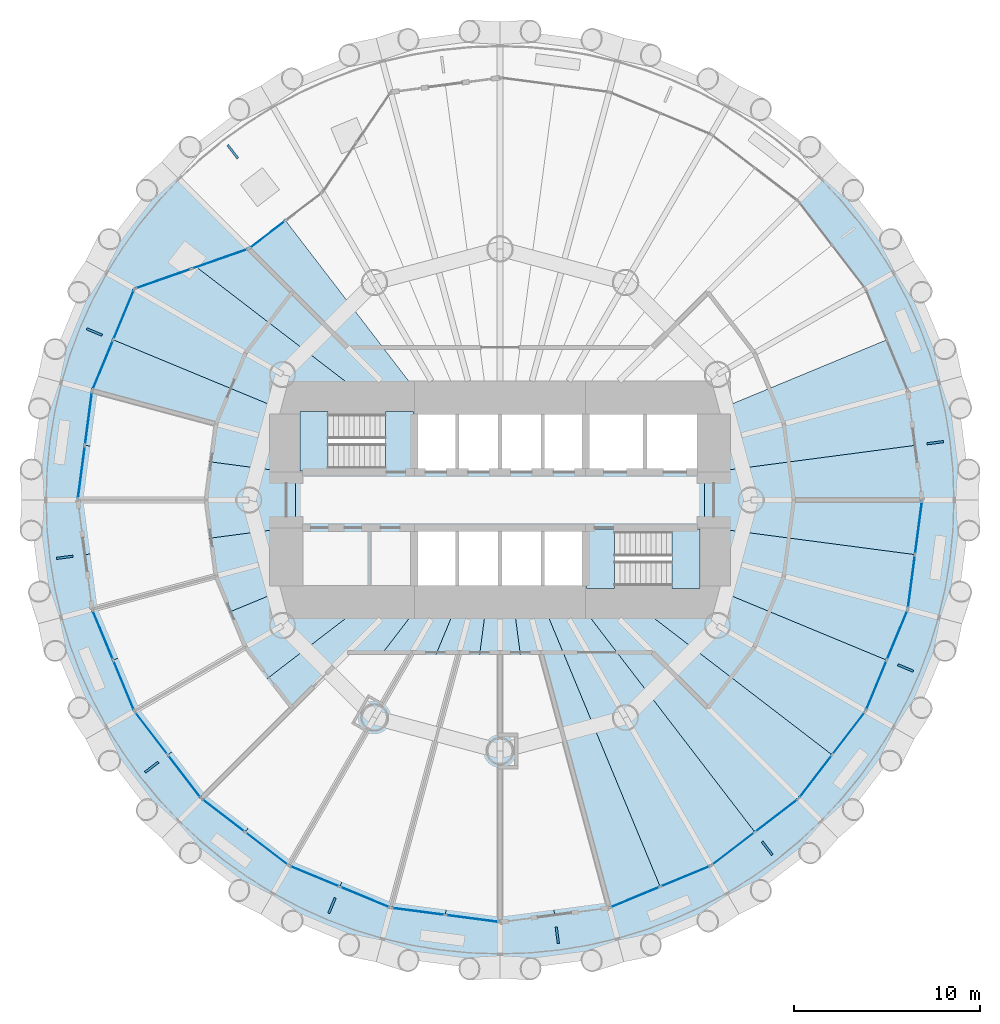
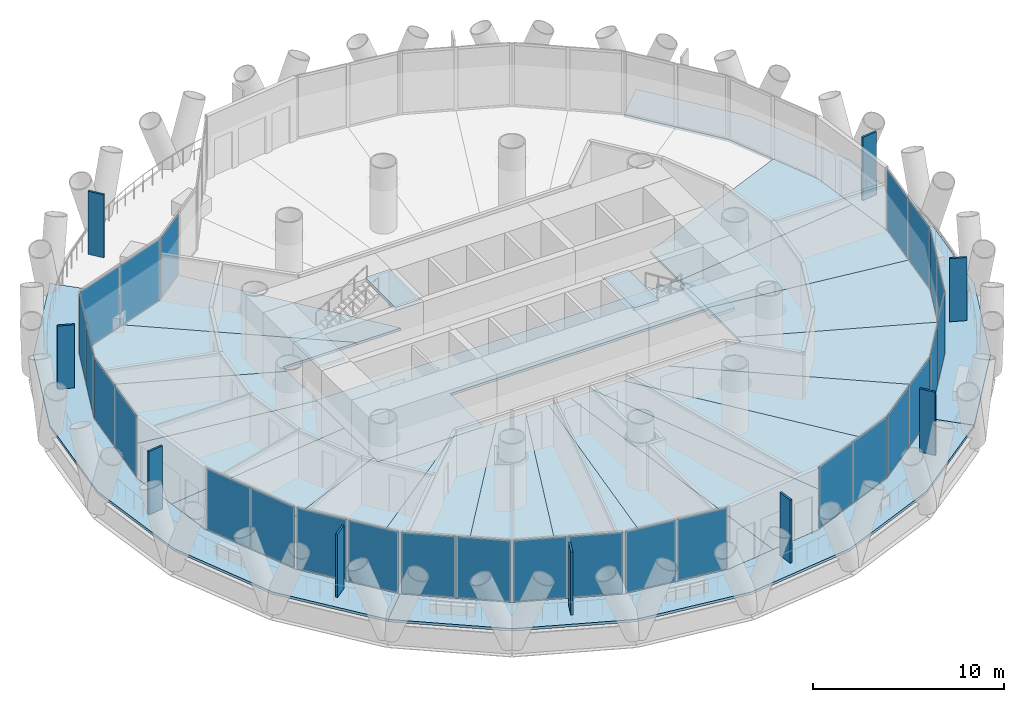
# One storey, part 7 of 14: 36 plates, 25 slabs, 16 elements without a shape of their own.
"""IFC4 building model written with IfcOpenShell, lengths in metres."""

import ifcopenshell
import ifcopenshell.guid

model = None  # the IFC model being written
_history = None  # IfcOwnerHistory: only IFC2X3 demands one
_inside = {}  # id of a spatial element -> (the spatial element, [elements in it])
_under = {}  # id of a project, library or spatial element -> (it, [spatial elements below it])
_declared = {}  # id of a project -> (the project, [libraries it declares])
_typed = {}  # id of a type object -> (the type object, [elements of that type])
_made_of = {}  # id of a material, layer set ... -> (it, [elements and type objects made of it])


def new_model(schema):
    """Start an empty IFC model of exactly this schema.

    Asked for "IFC4X3", IfcOpenShell would pick the latest addendum, in which some entities
    have other attributes; the version numbers below select the first issue.
    IFC2X3 requires an IfcOwnerHistory on every rooted entity: one is made here for all.
    """
    global model, _history
    if schema == "IFC4X3":
        model = ifcopenshell.file(schema_version=(4, 3, 0, 0))
    else:
        model = ifcopenshell.file(schema=schema)
    _inside.clear()
    _under.clear()
    _declared.clear()
    _typed.clear()
    _made_of.clear()
    _history = None
    if model.schema == "IFC2X3":
        org = make("IfcOrganization", Name="unknown")
        user = make(
            "IfcPersonAndOrganization",
            ThePerson=make("IfcPerson", FamilyName="unknown"),
            TheOrganization=org,
        )
        app = make(
            "IfcApplication",
            ApplicationDeveloper=org,
            Version="unknown",
            ApplicationFullName="unknown",
            ApplicationIdentifier="unknown",
        )
        _history = make(
            "IfcOwnerHistory",
            OwningUser=user,
            OwningApplication=app,
            ChangeAction="ADDED",
            CreationDate=0,
        )
    return model


def make(cls, **values):
    """One entity of the class cls with the attributes given. An attribute that is None is left unset."""
    return model.create_entity(
        cls, **{name: value for name, value in values.items() if value is not None}
    )


def rooted(cls, **values):
    """An entity with a GlobalId (a new one), such as an element, a storey or a relation."""
    return make(cls, GlobalId=ifcopenshell.guid.new(), OwnerHistory=_history, **values)


def si_unit(unit_type, name, prefix=None):
    """IfcSIUnit, for example si_unit("LENGTHUNIT", "METRE", prefix="MILLI")."""
    return make("IfcSIUnit", UnitType=unit_type, Prefix=prefix, Name=name)


def assignment(units):
    """IfcUnitAssignment: the units of a project."""
    return None if units is None else make("IfcUnitAssignment", Units=units)


def point(xyz):
    """IfcCartesianPoint."""
    return None if xyz is None else make("IfcCartesianPoint", Coordinates=xyz)


def direction(xyz):
    """IfcDirection."""
    return None if xyz is None else make("IfcDirection", DirectionRatios=xyz)


def frame(location, z_axis=None, x_axis=None):
    """IfcAxis2Placement3D, a coordinate frame: its origin and axes. An axis left out is left unset."""
    return make(
        "IfcAxis2Placement3D",
        Location=point(location),
        Axis=direction(z_axis),
        RefDirection=direction(x_axis),
    )


def frame_2d(location, x_axis=None):
    """IfcAxis2Placement2D, a coordinate frame in the plane: its origin and x axis."""
    return make(
        "IfcAxis2Placement2D", Location=point(location), RefDirection=direction(x_axis)
    )


def origin():
    """The frame at (0, 0, 0) with its axes left unset."""
    return frame((0.0, 0.0, 0.0))


def origin_2d():
    """The frame at (0, 0) in the plane with its x axis left unset."""
    return frame_2d((0.0, 0.0))


def place(relative_to, where):
    """IfcLocalPlacement: puts the frame where relative to a parent placement (None: the world)."""
    return make(
        "IfcLocalPlacement", PlacementRelTo=relative_to, RelativePlacement=where
    )


def context(
    kind, dimensions, precision=None, world=None, true_north=None, identifier=None
):
    """IfcGeometricRepresentationContext, for example the 3D "Model" context."""
    return make(
        "IfcGeometricRepresentationContext",
        ContextIdentifier=identifier,
        ContextType=kind,
        CoordinateSpaceDimension=dimensions,
        Precision=precision,
        WorldCoordinateSystem=world,
        TrueNorth=true_north,
    )


def subcontext(parent, identifier, kind, view, scale=None):
    """IfcGeometricRepresentationSubContext, for example "Body" below "Model"."""
    return make(
        "IfcGeometricRepresentationSubContext",
        ContextIdentifier=identifier,
        ContextType=kind,
        ParentContext=parent,
        TargetScale=scale,
        TargetView=view,
    )


def project(units=None, contexts=None):
    """IfcProject with its units and contexts."""
    return rooted(
        "IfcProject",
        Name="project",
        RepresentationContexts=contexts,
        UnitsInContext=assignment(units),
    )


def spatial(cls, under=None, at=None, **own):
    """A site, building, storey or space (cls), placed at a placement, below another one or the project."""
    s = rooted(cls, ObjectPlacement=at, **own)
    if under is not None:
        _under.setdefault(under.id(), (under, []))[1].append(s)
    return s


def polyline(points):
    """IfcPolyline through the points."""
    return make("IfcPolyline", Points=[point(p) for p in points])


def profile(cls, at=None, kind="AREA", **sizes):
    """A parametric profile (cls). Its sizes go by their IFC names, for example OverallWidth=200.0."""
    return make(cls, ProfileType=kind, Position=at, **sizes)


def rectangle(**sizes):
    """IfcRectangleProfileDef."""
    return profile("IfcRectangleProfileDef", **sizes)


def outline(outer, holes=None, kind="AREA"):
    """IfcArbitraryClosedProfileDef: a profile drawn as a closed curve; with holes, ...WithVoids."""
    if holes is None:
        return make("IfcArbitraryClosedProfileDef", ProfileType=kind, OuterCurve=outer)
    return make(
        "IfcArbitraryProfileDefWithVoids",
        ProfileType=kind,
        OuterCurve=outer,
        InnerCurves=holes,
    )


def extrude(swept, where, along, depth):
    """IfcExtrudedAreaSolid: the profile swept, set in the frame where, extruded along a direction by depth."""
    return make(
        "IfcExtrudedAreaSolid",
        SweptArea=swept,
        Position=where,
        ExtrudedDirection=direction(along),
        Depth=depth,
    )


def shape(context_of_items, identifier, shape_type, items):
    """IfcShapeRepresentation: the items that make up one representation, for example the "Body"."""
    return make(
        "IfcShapeRepresentation",
        ContextOfItems=context_of_items,
        RepresentationIdentifier=identifier,
        RepresentationType=shape_type,
        Items=items,
    )


def material(Name=None, Category=None):
    """IfcMaterial."""
    return make("IfcMaterial", Name=Name, Category=Category)


def layer(
    of_material, thickness, ventilated=None, Name=None, Category=None, Priority=None
):
    """IfcMaterialLayer: one layer of a wall or slab, of a material (None: an air gap)."""
    return make(
        "IfcMaterialLayer",
        Material=of_material,
        LayerThickness=thickness,
        IsVentilated=ventilated,
        Name=Name,
        Category=Category,
        Priority=Priority,
    )


def layer_set(layers, Name=None):
    """IfcMaterialLayerSet."""
    return make("IfcMaterialLayerSet", MaterialLayers=layers, LayerSetName=Name)


def made_of(thing, what):
    """Note that an element or type object is made of a material, layer set ...; save() writes the relation."""
    if what is not None:
        _made_of.setdefault(what.id(), (what, []))[1].append(thing)
    return thing


def type_object(cls, material=None, **own):
    """A type object (cls), such as IfcWallType, which elements share."""
    return made_of(rooted(cls, **own), material)


def element(
    cls,
    number,
    at=None,
    inside=None,
    cuts=None,
    type_object=None,
    material=None,
    context=None,
    identifier="Body",
    shape_type=None,
    held_by="IfcProductDefinitionShape",
    body=None,
    shapes=None,
    **own,
):
    """One element of the class cls, such as IfcWall. Its Tag is "e" and its number.

    at: its placement. inside: the storey or other place that contains it. cuts: it is an
    opening in that element (IfcRelVoidsElement). A single representation is given by context,
    identifier, shape_type and body (its items); several are given by shapes. held_by: the class
    of the entity that holds the representations. save() writes the other relations.
    """
    e = rooted(cls, Tag="e%d" % number, ObjectPlacement=at, **own)
    if body is not None:
        shapes = [shape(context, identifier, shape_type, body)]
    if shapes is not None:
        e.Representation = make(held_by, Representations=shapes)
    if inside is not None:
        _inside.setdefault(inside.id(), (inside, []))[1].append(e)
    if cuts is not None:
        rooted(
            "IfcRelVoidsElement", RelatingBuildingElement=cuts, RelatedOpeningElement=e
        )
    if type_object is not None:
        _typed.setdefault(type_object.id(), (type_object, []))[1].append(e)
    return made_of(e, material)


def aggregate(whole, parts):
    """IfcRelAggregates: a whole, such as a stair, and the parts it consists of."""
    return rooted("IfcRelAggregates", RelatingObject=whole, RelatedObjects=parts)


def save(model, path):
    """Write the relations noted so far, then the file.

    IfcRelAggregates (storeys below a building ...), IfcRelContainedInSpatialStructure (elements
    in a storey), IfcRelDefinesByType, IfcRelAssociatesMaterial and IfcRelDeclares: one each for
    every whole, place, type object, material and project.
    """
    for whole, parts in _under.values():
        aggregate(whole, parts)
    for where, things in _inside.values():
        rooted(
            "IfcRelContainedInSpatialStructure",
            RelatedElements=things,
            RelatingStructure=where,
        )
    for kind, things in _typed.values():
        rooted("IfcRelDefinesByType", RelatedObjects=things, RelatingType=kind)
    for what, things in _made_of.values():
        rooted("IfcRelAssociatesMaterial", RelatedObjects=things, RelatingMaterial=what)
    for by, libraries in _declared.values():
        rooted("IfcRelDeclares", RelatingContext=by, RelatedDefinitions=libraries)
    model.write(path)


model = new_model("IFC4")

# Units and contexts
model_context = context("Model", 3, precision=1e-05, world=origin(), true_north=direction((0.0, 1.0)))
body_context = subcontext(model_context, "Body", "Model", "MODEL_VIEW")
ifc_project = project(units=[si_unit("LENGTHUNIT", "METRE"), si_unit("AREAUNIT", "SQUARE_METRE"), si_unit("VOLUMEUNIT", "CUBIC_METRE"), si_unit("PLANEANGLEUNIT", "RADIAN"), si_unit("MASSUNIT", "GRAM", prefix="KILO")], contexts=[model_context])

# Site, building, storey
site_placement = place(None, origin())
site = spatial("IfcSite", under=ifc_project, at=site_placement, CompositionType="ELEMENT")
building_placement = place(site_placement, origin())
building = spatial("IfcBuilding", under=site, at=building_placement, Name="Qaws Media Tower", CompositionType="ELEMENT")
storey_placement = place(building_placement, frame((0.0, 0.0, 59.60009765625)))
storey = spatial("IfcBuildingStorey", under=building, at=storey_placement, Name="L12", CompositionType="ELEMENT", Elevation=59.60009765625)

# Slabs
ifc_material_1 = material(Name="Concrete C35/45", Category="concrete")
ifc_layer_1 = layer(ifc_material_1, 0.159912109375)
ifc_layer_set_1 = layer_set([ifc_layer_1], Name="Composite balcony slab 160")
slab_type_1 = type_object("IfcSlabType", Name="Composite balcony slab 160", PredefinedType="FLOOR", material=ifc_layer_set_1)
slab_1_placement = place(storey_placement, frame((0.0, 0.0, -0.16015625)))
element("IfcSlab", 1, at=slab_1_placement, inside=storey, type_object=slab_type_1, Name="S2 balcony slab L12 R10 to R16, movement joints on R10 and R16", PredefinedType="FLOOR", context=body_context, shape_type="SweptSolid", body=[
    extrude(outline(polyline([(38.2626953125, 37.449951171875), (35.75537109375, 43.503662109375), (34.89990234375, 50.0), (35.75537109375, 56.496337890625), (38.2626953125, 62.550048828125), (42.251708984375, 67.748291015625), (46.494384765625, 63.505615234375), (40.34130859375, 61.35009765625), (38.073486328125, 55.875244140625), (37.300048828125, 50.0), (38.073486328125, 44.124755859375), (40.34130859375, 38.64990234375), (43.94873046875, 33.94873046875), (42.251708984375, 32.251708984375), (38.2626953125, 37.449951171875)])), origin(), (0.0, 0.0, 1.0), 0.16015625),
])
slab_2_placement = place(storey_placement, frame((0.0, 0.0, -0.16015625)))
element("IfcSlab", 2, at=slab_2_placement, inside=storey, type_object=slab_type_1, Name="S2 balcony slab L12 R16 to R22, movement joints on R16 and R22", PredefinedType="FLOOR", context=body_context, shape_type="SweptSolid", body=[
    extrude(outline(polyline([(72.550048828125, 28.2626953125), (66.496337890625, 25.75537109375), (60.0, 24.89990234375), (53.503662109375, 25.75537109375), (47.449951171875, 28.2626953125), (42.251708984375, 32.251708984375), (43.94873046875, 33.94873046875), (48.64990234375, 30.34130859375), (54.124755859375, 28.073486328125), (60.0, 27.300048828125), (65.875244140625, 28.073486328125), (71.35009765625, 30.34130859375), (76.05126953125, 33.94873046875), (77.748291015625, 32.251708984375), (72.550048828125, 28.2626953125)])), origin(), (0.0, 0.0, 1.0), 0.16015625),
])
slab_3_placement = place(storey_placement, frame((0.0, 0.0, -0.16015625)))
element("IfcSlab", 3, at=slab_3_placement, inside=storey, type_object=slab_type_1, Name="S2 balcony slab L12 R22 to R04, movement joints on R22 and R04", PredefinedType="FLOOR", context=body_context, shape_type="SweptSolid", body=[
    extrude(outline(polyline([(81.7373046875, 37.449951171875), (77.748291015625, 32.251708984375), (76.05126953125, 33.94873046875), (79.65869140625, 38.64990234375), (81.926513671875, 44.124755859375), (82.699951171875, 50.0), (81.926513671875, 55.875244140625), (79.65869140625, 61.35009765625), (76.05126953125, 66.05126953125), (77.748291015625, 67.748291015625), (81.7373046875, 62.550048828125), (84.24462890625, 56.496337890625), (85.10009765625, 50.0), (84.24462890625, 43.503662109375), (81.7373046875, 37.449951171875)])), origin(), (0.0, 0.0, 1.0), 0.16015625),
])
ifc_material_2 = material(Name="Concrete C35/45", Category="concrete")
ifc_layer_2 = layer(ifc_material_2, 0.159912109375)
ifc_layer_set_2 = layer_set([ifc_layer_2], Name="Composite floor slab 160")
slab_type_2 = type_object("IfcSlabType", Name="Composite floor slab 160", PredefinedType="FLOOR", material=ifc_layer_set_2)
slab_4_placement = place(storey_placement, frame((0.0, 0.0, -0.16015625)))
element("IfcSlab", 4, at=slab_4_placement, inside=storey, type_object=slab_type_2, Name="S1 core floor slab L12", PredefinedType="FLOOR", context=body_context, shape_type="SweptSolid", body=[
    extrude(outline(polyline([(71.0, 51.5), (71.0, 48.5), (55.39990234375, 48.5), (55.39990234375, 45.0), (49.0, 45.0), (49.0, 51.5), (71.0, 51.5)])), origin(), (0.0, 0.0, 1.0), 0.16015625),
])
slab_5_placement = place(storey_placement, frame((0.0, 0.0, -0.16015625)))
element("IfcSlab", 5, at=slab_5_placement, inside=storey, type_object=slab_type_2, Name="S1 floor panel L12 on R01", PredefinedType="FLOOR", context=body_context, shape_type="SweptSolid", body=[
    extrude(outline(polyline([(82.699951171875, 50.0), (82.313232421875, 47.0625), (71.0, 48.5517578125), (71.0, 51.4482421875), (82.313232421875, 52.9375), (82.699951171875, 50.0)])), origin(), (0.0, 0.0, 1.0), 0.16015625),
])
slab_6_placement = place(storey_placement, frame((0.0, 0.0, -0.16015625)))
element("IfcSlab", 6, at=slab_6_placement, inside=storey, type_object=slab_type_2, Name="S1 floor panel L12 on R02", PredefinedType="FLOOR", context=body_context, shape_type="SweptSolid", body=[
    extrude(outline(polyline([(81.926513671875, 55.875244140625), (82.313232421875, 52.9375), (71.0, 51.4482421875), (71.0, 54.556396484375), (80.79248046875, 58.612548828125), (81.926513671875, 55.875244140625)])), origin(), (0.0, 0.0, 1.0), 0.16015625),
])
slab_7_placement = place(storey_placement, frame((0.0, 0.0, -0.16015625)))
element("IfcSlab", 7, at=slab_7_placement, inside=storey, type_object=slab_type_2, Name="S1 floor panel L12 on R10", PredefinedType="FLOOR", context=body_context, shape_type="SweptSolid", body=[
    extrude(outline(polyline([(46.494384765625, 63.505615234375), (48.47216796875, 65.0234375), (56.163330078125, 55.0), (53.48388671875, 55.0), (43.6826171875, 62.520751953125), (46.494384765625, 63.505615234375)])), origin(), (0.0, 0.0, 1.0), 0.16015625),
])
slab_8_placement = place(storey_placement, frame((0.0, 0.0, -0.16015625)))
element("IfcSlab", 8, at=slab_8_placement, inside=storey, type_object=slab_type_2, Name="S1 floor panel L12 on R11", PredefinedType="FLOOR", context=body_context, shape_type="SweptSolid", body=[
    extrude(outline(polyline([(40.34130859375, 61.35009765625), (43.6826171875, 62.520751953125), (53.48388671875, 55.0), (49.0, 55.0), (49.0, 54.556396484375), (39.20751953125, 58.612548828125), (40.34130859375, 61.35009765625)])), origin(), (0.0, 0.0, 1.0), 0.16015625),
])
slab_9_placement = place(storey_placement, frame((0.0, 0.0, -0.16015625)))
element("IfcSlab", 9, at=slab_9_placement, inside=storey, type_object=slab_type_2, Name="S1 floor panel L12 on R12", PredefinedType="FLOOR", context=body_context, shape_type="SweptSolid", body=[
    extrude(outline(polyline([(38.073486328125, 55.875244140625), (39.20751953125, 58.612548828125), (49.0, 54.556396484375), (49.0, 51.4482421875), (37.686767578125, 52.9375), (38.073486328125, 55.875244140625)])), origin(), (0.0, 0.0, 1.0), 0.16015625),
])
slab_10_placement = place(storey_placement, frame((0.0, 0.0, -0.16015625)))
element("IfcSlab", 10, at=slab_10_placement, inside=storey, type_object=slab_type_2, Name="S1 floor panel L12 on R13", PredefinedType="FLOOR", context=body_context, shape_type="SweptSolid", body=[
    extrude(outline(polyline([(37.300048828125, 50.0), (37.686767578125, 52.9375), (49.0, 51.4482421875), (49.0, 48.5517578125), (37.686767578125, 47.0625), (37.300048828125, 50.0)])), origin(), (0.0, 0.0, 1.0), 0.16015625),
])
slab_11_placement = place(storey_placement, frame((0.0, 0.0, -0.16015625)))
element("IfcSlab", 11, at=slab_11_placement, inside=storey, type_object=slab_type_2, Name="S1 floor panel L12 on R14", PredefinedType="FLOOR", context=body_context, shape_type="SweptSolid", body=[
    extrude(outline(polyline([(38.073486328125, 44.124755859375), (37.686767578125, 47.0625), (49.0, 48.5517578125), (49.0, 45.443603515625), (39.20751953125, 41.387451171875), (38.073486328125, 44.124755859375)])), origin(), (0.0, 0.0, 1.0), 0.16015625),
])
slab_12_placement = place(storey_placement, frame((0.0, 0.0, -0.16015625)))
element("IfcSlab", 12, at=slab_12_placement, inside=storey, type_object=slab_type_2, Name="S1 floor panel L12 on R15", PredefinedType="FLOOR", context=body_context, shape_type="SweptSolid", body=[
    extrude(outline(polyline([(40.34130859375, 38.64990234375), (39.20751953125, 41.387451171875), (49.0, 45.443603515625), (49.0, 45.0), (53.48388671875, 45.0), (42.14501953125, 36.29931640625), (40.34130859375, 38.64990234375)])), origin(), (0.0, 0.0, 1.0), 0.16015625),
])
slab_13_placement = place(storey_placement, frame((0.0, 0.0, -0.16015625)))
element("IfcSlab", 13, at=slab_13_placement, inside=storey, type_object=slab_type_2, Name="S1 floor panel L12 on R16", PredefinedType="FLOOR", context=body_context, shape_type="SweptSolid", body=[
    extrude(outline(polyline([(43.94873046875, 33.94873046875), (42.14501953125, 36.29931640625), (53.48388671875, 45.0), (56.163330078125, 45.0), (46.29931640625, 32.14501953125), (43.94873046875, 33.94873046875)])), origin(), (0.0, 0.0, 1.0), 0.16015625),
])
slab_14_placement = place(storey_placement, frame((0.0, 0.0, -0.16015625)))
element("IfcSlab", 14, at=slab_14_placement, inside=storey, type_object=slab_type_2, Name="S1 floor panel L12 on R17", PredefinedType="FLOOR", context=body_context, shape_type="SweptSolid", body=[
    extrude(outline(polyline([(48.64990234375, 30.34130859375), (46.29931640625, 32.14501953125), (56.163330078125, 45.0), (57.928955078125, 45.0), (51.387451171875, 29.20751953125), (48.64990234375, 30.34130859375)])), origin(), (0.0, 0.0, 1.0), 0.16015625),
])
slab_15_placement = place(storey_placement, frame((0.0, 0.0, -0.16015625)))
element("IfcSlab", 15, at=slab_15_placement, inside=storey, type_object=slab_type_2, Name="S1 floor panel L12 on R18", PredefinedType="FLOOR", context=body_context, shape_type="SweptSolid", body=[
    extrude(outline(polyline([(54.124755859375, 28.073486328125), (51.387451171875, 29.20751953125), (57.928955078125, 45.0), (59.341796875, 45.0), (57.0625, 27.686767578125), (54.124755859375, 28.073486328125)])), origin(), (0.0, 0.0, 1.0), 0.16015625),
])
slab_16_placement = place(storey_placement, frame((0.0, 0.0, -0.16015625)))
element("IfcSlab", 16, at=slab_16_placement, inside=storey, type_object=slab_type_2, Name="S1 floor panel L12 on R19", PredefinedType="FLOOR", context=body_context, shape_type="SweptSolid", body=[
    extrude(outline(polyline([(60.0, 27.300048828125), (57.0625, 27.686767578125), (59.341796875, 45.0), (60.658203125, 45.0), (62.9375, 27.686767578125), (60.0, 27.300048828125)])), origin(), (0.0, 0.0, 1.0), 0.16015625),
])
slab_17_placement = place(storey_placement, frame((0.0, 0.0, -0.16015625)))
element("IfcSlab", 17, at=slab_17_placement, inside=storey, type_object=slab_type_2, Name="S1 floor panel L12 on R20", PredefinedType="FLOOR", context=body_context, shape_type="SweptSolid", body=[
    extrude(outline(polyline([(65.875244140625, 28.073486328125), (62.9375, 27.686767578125), (60.658203125, 45.0), (62.071044921875, 45.0), (68.612548828125, 29.20751953125), (65.875244140625, 28.073486328125)])), origin(), (0.0, 0.0, 1.0), 0.16015625),
])
slab_18_placement = place(storey_placement, frame((0.0, 0.0, -0.16015625)))
element("IfcSlab", 18, at=slab_18_placement, inside=storey, type_object=slab_type_2, Name="S1 floor panel L12 on R21", PredefinedType="FLOOR", context=body_context, shape_type="SweptSolid", body=[
    extrude(outline(polyline([(71.35009765625, 30.34130859375), (68.612548828125, 29.20751953125), (62.071044921875, 45.0), (63.836669921875, 45.0), (73.70068359375, 32.14501953125), (71.35009765625, 30.34130859375)])), origin(), (0.0, 0.0, 1.0), 0.16015625),
])
slab_19_placement = place(storey_placement, frame((0.0, 0.0, -0.16015625)))
element("IfcSlab", 19, at=slab_19_placement, inside=storey, type_object=slab_type_2, Name="S1 floor panel L12 on R22", PredefinedType="FLOOR", context=body_context, shape_type="SweptSolid", body=[
    extrude(outline(polyline([(76.05126953125, 33.94873046875), (73.70068359375, 32.14501953125), (63.836669921875, 45.0), (66.51611328125, 45.0), (77.85498046875, 36.29931640625), (76.05126953125, 33.94873046875)])), origin(), (0.0, 0.0, 1.0), 0.16015625),
])
slab_20_placement = place(storey_placement, frame((0.0, 0.0, -0.16015625)))
element("IfcSlab", 20, at=slab_20_placement, inside=storey, type_object=slab_type_2, Name="S1 floor panel L12 on R23", PredefinedType="FLOOR", context=body_context, shape_type="SweptSolid", body=[
    extrude(outline(polyline([(79.65869140625, 38.64990234375), (77.85498046875, 36.29931640625), (66.51611328125, 45.0), (71.0, 45.0), (71.0, 45.443603515625), (80.79248046875, 41.387451171875), (79.65869140625, 38.64990234375)])), origin(), (0.0, 0.0, 1.0), 0.16015625),
])
slab_21_placement = place(storey_placement, frame((0.0, 0.0, -0.16015625)))
element("IfcSlab", 21, at=slab_21_placement, inside=storey, type_object=slab_type_2, Name="S1 floor panel L12 on R24", PredefinedType="FLOOR", context=body_context, shape_type="SweptSolid", body=[
    extrude(outline(polyline([(80.79248046875, 41.387451171875), (71.0, 45.443603515625), (71.0, 48.5517578125), (82.313232421875, 47.0625), (81.926513671875, 44.124755859375), (80.79248046875, 41.387451171875)])), origin(), (0.0, 0.0, 1.0), 0.16015625),
])

# Curtain wall, plate
ifc_material_3 = material(Name="Aluminium and clear glass", Category="aluminium")
curtain_wall_type_1 = type_object("IfcCurtainWallType", Name="Loggia curtain wall CW-G", PredefinedType="NOTDEFINED", material=ifc_material_3)
curtain_wall_1_placement = place(storey_placement, origin())
curtain_wall_1 = element("IfcCurtainWall", 22, at=curtain_wall_1_placement, inside=storey, type_object=curtain_wall_type_1, Name="CWG curtain wall L12-09", PredefinedType="NOTDEFINED")
ifc_material_4 = material(Name="Clear laminated double glazing", Category="glass")
ifc_layer_3 = layer(ifc_material_4, 0.031982421875)
ifc_layer_set_3 = layer_set([ifc_layer_3], Name="Curtain wall glass unit 32")
plate_type_1 = type_object("IfcPlateType", Name="Curtain wall glass unit 32", PredefinedType="CURTAIN_PANEL", material=ifc_layer_set_3)
plate_1_placement = place(storey_placement, frame((47.4990234375, 64.27685546875, 0.080078125), z_axis=(0.0, 0.0, 1.0), x_axis=(-0.793353442906, -0.608761295278, 0.0)))
plate_1 = element("IfcPlate", 23, at=plate_1_placement, type_object=plate_type_1, Name="CWG panel 2.1", PredefinedType="CURTAIN_PANEL", context=body_context, shape_type="SweptSolid", body=[
    extrude(rectangle(XDim=2.373046875, YDim=0.031982421875, at=origin_2d()), origin(), (0.0, 0.0, 1.0), 3.8798828125),
])
aggregate(curtain_wall_1, [plate_1])

# Curtain wall, plates
curtain_wall_2_placement = place(storey_placement, origin())
curtain_wall_2 = element("IfcCurtainWall", 24, at=curtain_wall_2_placement, inside=storey, type_object=curtain_wall_type_1, Name="CWG curtain wall L12-10", PredefinedType="NOTDEFINED")
plate_2_placement = place(storey_placement, frame((44.93701171875, 62.960205078125, 0.080078125), z_axis=(0.0, 0.0, 1.0), x_axis=(-0.94375419301, -0.330647883973, 0.0)))
plate_2 = element("IfcPlate", 25, at=plate_2_placement, type_object=plate_type_1, Name="CWG panel 1.1", PredefinedType="CURTAIN_PANEL", context=body_context, shape_type="SweptSolid", body=[
    extrude(rectangle(XDim=3.139892578125, YDim=0.031982421875, at=origin_2d()), origin(), (0.0, 0.0, 1.0), 3.8798828125),
])
plate_3_placement = place(storey_placement, frame((41.8984375, 61.8955078125, 0.080078125), z_axis=(0.0, 0.0, 1.0), x_axis=(-0.94375419301, -0.330647883973, 0.0)))
plate_3 = element("IfcPlate", 26, at=plate_3_placement, type_object=plate_type_1, Name="CWG panel 2.1", PredefinedType="CURTAIN_PANEL", context=body_context, shape_type="SweptSolid", body=[
    extrude(rectangle(XDim=3.139892578125, YDim=0.031982421875, at=origin_2d()), origin(), (0.0, 0.0, 1.0), 3.8798828125),
])
aggregate(curtain_wall_2, [plate_2, plate_3])

ifc_material_5 = material(Name="Aluminium and clear glass", Category="aluminium")
curtain_wall_type_2 = type_object("IfcCurtainWallType", Name="Unitised curtain wall CW-A", PredefinedType="NOTDEFINED", material=ifc_material_5)
curtain_wall_3_placement = place(storey_placement, origin())
curtain_wall_3 = element("IfcCurtainWall", 27, at=curtain_wall_3_placement, inside=storey, type_object=curtain_wall_type_2, Name="CWA curtain wall L12-11", PredefinedType="NOTDEFINED")
plate_4_placement = place(storey_placement, frame((39.7666015625, 59.962890625, 0.080078125), z_axis=(0.0, 0.0, 1.0), x_axis=(-0.382683327941, -0.923879575765, 0.0)))
plate_4 = element("IfcPlate", 28, at=plate_4_placement, type_object=plate_type_1, Name="CWA panel 1.1", PredefinedType="CURTAIN_PANEL", context=body_context, shape_type="SweptSolid", body=[
    extrude(rectangle(XDim=2.843017578125, YDim=0.031982421875, at=origin_2d()), origin(), (0.0, 0.0, 1.0), 3.8798828125),
])
plate_5_placement = place(storey_placement, frame((38.648193359375, 57.262451171875, 0.080078125), z_axis=(0.0, 0.0, 1.0), x_axis=(-0.382683327941, -0.923879575765, 0.0)))
plate_5 = element("IfcPlate", 29, at=plate_5_placement, type_object=plate_type_1, Name="CWA panel 2.1", PredefinedType="CURTAIN_PANEL", context=body_context, shape_type="SweptSolid", body=[
    extrude(rectangle(XDim=2.843017578125, YDim=0.031982421875, at=origin_2d()), origin(), (0.0, 0.0, 1.0), 3.8798828125),
])
aggregate(curtain_wall_3, [plate_4, plate_5])

curtain_wall_4_placement = place(storey_placement, origin())
curtain_wall_4 = element("IfcCurtainWall", 30, at=curtain_wall_4_placement, inside=storey, type_object=curtain_wall_type_2, Name="CWA curtain wall L12-12", PredefinedType="NOTDEFINED")
plate_6_placement = place(storey_placement, frame((37.87744140625, 54.386474609375, 0.080078125), z_axis=(0.0, 0.0, 1.0), x_axis=(-0.130526241882, -0.991444854836, 0.0)))
plate_6 = element("IfcPlate", 31, at=plate_6_placement, type_object=plate_type_1, Name="CWA panel 1.1", PredefinedType="CURTAIN_PANEL", context=body_context, shape_type="SweptSolid", body=[
    extrude(rectangle(XDim=2.843017578125, YDim=0.031982421875, at=origin_2d()), origin(), (0.0, 0.0, 1.0), 3.8798828125),
])
plate_7_placement = place(storey_placement, frame((37.49609375, 51.488525390625, 0.080078125), z_axis=(0.0, 0.0, 1.0), x_axis=(-0.130526241882, -0.991444854836, 0.0)))
plate_7 = element("IfcPlate", 32, at=plate_7_placement, type_object=plate_type_1, Name="CWA panel 2.1", PredefinedType="CURTAIN_PANEL", context=body_context, shape_type="SweptSolid", body=[
    extrude(rectangle(XDim=2.843017578125, YDim=0.031982421875, at=origin_2d()), origin(), (0.0, 0.0, 1.0), 3.8798828125),
])
aggregate(curtain_wall_4, [plate_6, plate_7])

curtain_wall_5_placement = place(storey_placement, origin())
curtain_wall_5 = element("IfcCurtainWall", 33, at=curtain_wall_5_placement, inside=storey, type_object=curtain_wall_type_2, Name="CWA curtain wall L12-14", PredefinedType="NOTDEFINED")
plate_8_placement = place(storey_placement, frame((38.648193359375, 42.737548828125, 0.080078125), z_axis=(0.0, 0.0, 1.0), x_axis=(0.382683327941, -0.923879575765, 0.0)))
plate_8 = element("IfcPlate", 34, at=plate_8_placement, type_object=plate_type_1, Name="CWA panel 1.1", PredefinedType="CURTAIN_PANEL", context=body_context, shape_type="SweptSolid", body=[
    extrude(rectangle(XDim=2.843017578125, YDim=0.031982421875, at=origin_2d()), origin(), (0.0, 0.0, 1.0), 3.8798828125),
])
plate_9_placement = place(storey_placement, frame((39.7666015625, 40.037109375, 0.080078125), z_axis=(0.0, 0.0, 1.0), x_axis=(0.382683327941, -0.923879575765, 0.0)))
plate_9 = element("IfcPlate", 35, at=plate_9_placement, type_object=plate_type_1, Name="CWA panel 2.1", PredefinedType="CURTAIN_PANEL", context=body_context, shape_type="SweptSolid", body=[
    extrude(rectangle(XDim=2.843017578125, YDim=0.031982421875, at=origin_2d()), origin(), (0.0, 0.0, 1.0), 3.8798828125),
])
aggregate(curtain_wall_5, [plate_8, plate_9])

curtain_wall_6_placement = place(storey_placement, origin())
curtain_wall_6 = element("IfcCurtainWall", 36, at=curtain_wall_6_placement, inside=storey, type_object=curtain_wall_type_2, Name="CWA curtain wall L12-15", PredefinedType="NOTDEFINED")
plate_10_placement = place(storey_placement, frame((41.25537109375, 37.458740234375, 0.080078125), z_axis=(0.0, 0.0, 1.0), x_axis=(0.608761451911, -0.793353322718, 0.0)))
plate_10 = element("IfcPlate", 37, at=plate_10_placement, type_object=plate_type_1, Name="CWA panel 1.1", PredefinedType="CURTAIN_PANEL", context=body_context, shape_type="SweptSolid", body=[
    extrude(rectangle(XDim=2.843017578125, YDim=0.031982421875, at=origin_2d()), origin(), (0.0, 0.0, 1.0), 3.8798828125),
])
plate_11_placement = place(storey_placement, frame((43.03466796875, 35.139892578125, 0.080078125), z_axis=(0.0, 0.0, 1.0), x_axis=(0.608761451911, -0.793353322718, 0.0)))
plate_11 = element("IfcPlate", 38, at=plate_11_placement, type_object=plate_type_1, Name="CWA panel 2.1", PredefinedType="CURTAIN_PANEL", context=body_context, shape_type="SweptSolid", body=[
    extrude(rectangle(XDim=2.843017578125, YDim=0.031982421875, at=origin_2d()), origin(), (0.0, 0.0, 1.0), 3.8798828125),
])
aggregate(curtain_wall_6, [plate_10, plate_11])

curtain_wall_7_placement = place(storey_placement, origin())
curtain_wall_7 = element("IfcCurtainWall", 39, at=curtain_wall_7_placement, inside=storey, type_object=curtain_wall_type_2, Name="CWA curtain wall L12-16", PredefinedType="NOTDEFINED")
plate_12_placement = place(storey_placement, frame((45.139892578125, 33.03466796875, 0.080078125), z_axis=(0.0, 0.0, 1.0), x_axis=(0.793353322718, -0.608761451911, 0.0)))
plate_12 = element("IfcPlate", 40, at=plate_12_placement, type_object=plate_type_1, Name="CWA panel 1.1", PredefinedType="CURTAIN_PANEL", context=body_context, shape_type="SweptSolid", body=[
    extrude(rectangle(XDim=2.843017578125, YDim=0.031982421875, at=origin_2d()), origin(), (0.0, 0.0, 1.0), 3.8798828125),
])
plate_13_placement = place(storey_placement, frame((47.458740234375, 31.25537109375, 0.080078125), z_axis=(0.0, 0.0, 1.0), x_axis=(0.793353322718, -0.608761451911, 0.0)))
plate_13 = element("IfcPlate", 41, at=plate_13_placement, type_object=plate_type_1, Name="CWA panel 2.1", PredefinedType="CURTAIN_PANEL", context=body_context, shape_type="SweptSolid", body=[
    extrude(rectangle(XDim=2.843017578125, YDim=0.031982421875, at=origin_2d()), origin(), (0.0, 0.0, 1.0), 3.8798828125),
])
aggregate(curtain_wall_7, [plate_12, plate_13])

curtain_wall_8_placement = place(storey_placement, origin())
curtain_wall_8 = element("IfcCurtainWall", 42, at=curtain_wall_8_placement, inside=storey, type_object=curtain_wall_type_2, Name="CWA curtain wall L12-17", PredefinedType="NOTDEFINED")
plate_14_placement = place(storey_placement, frame((50.037109375, 29.7666015625, 0.080078125), z_axis=(0.0, 0.0, 1.0), x_axis=(0.923879575765, -0.382683327941, 0.0)))
plate_14 = element("IfcPlate", 43, at=plate_14_placement, type_object=plate_type_1, Name="CWA panel 1.1", PredefinedType="CURTAIN_PANEL", context=body_context, shape_type="SweptSolid", body=[
    extrude(rectangle(XDim=2.843017578125, YDim=0.031982421875, at=origin_2d()), origin(), (0.0, 0.0, 1.0), 3.8798828125),
])
plate_15_placement = place(storey_placement, frame((52.737548828125, 28.648193359375, 0.080078125), z_axis=(0.0, 0.0, 1.0), x_axis=(0.923879575765, -0.382683327941, 0.0)))
plate_15 = element("IfcPlate", 44, at=plate_15_placement, type_object=plate_type_1, Name="CWA panel 2.1", PredefinedType="CURTAIN_PANEL", context=body_context, shape_type="SweptSolid", body=[
    extrude(rectangle(XDim=2.843017578125, YDim=0.031982421875, at=origin_2d()), origin(), (0.0, 0.0, 1.0), 3.8798828125),
])
aggregate(curtain_wall_8, [plate_14, plate_15])

curtain_wall_9_placement = place(storey_placement, origin())
curtain_wall_9 = element("IfcCurtainWall", 45, at=curtain_wall_9_placement, inside=storey, type_object=curtain_wall_type_2, Name="CWA curtain wall L12-18", PredefinedType="NOTDEFINED")
plate_16_placement = place(storey_placement, frame((55.613525390625, 27.87744140625, 0.080078125), z_axis=(0.0, 0.0, 1.0), x_axis=(0.991444854836, -0.130526241882, 0.0)))
plate_16 = element("IfcPlate", 46, at=plate_16_placement, type_object=plate_type_1, Name="CWA panel 1.1", PredefinedType="CURTAIN_PANEL", context=body_context, shape_type="SweptSolid", body=[
    extrude(rectangle(XDim=2.843017578125, YDim=0.031982421875, at=origin_2d()), origin(), (0.0, 0.0, 1.0), 3.8798828125),
])
plate_17_placement = place(storey_placement, frame((58.511474609375, 27.49609375, 0.080078125), z_axis=(0.0, 0.0, 1.0), x_axis=(0.991444854836, -0.130526241882, 0.0)))
plate_17 = element("IfcPlate", 47, at=plate_17_placement, type_object=plate_type_1, Name="CWA panel 2.1", PredefinedType="CURTAIN_PANEL", context=body_context, shape_type="SweptSolid", body=[
    extrude(rectangle(XDim=2.843017578125, YDim=0.031982421875, at=origin_2d()), origin(), (0.0, 0.0, 1.0), 3.8798828125),
])
aggregate(curtain_wall_9, [plate_16, plate_17])

curtain_wall_10_placement = place(storey_placement, origin())
curtain_wall_10 = element("IfcCurtainWall", 48, at=curtain_wall_10_placement, inside=storey, type_object=curtain_wall_type_2, Name="CWA curtain wall L12-20", PredefinedType="NOTDEFINED")
plate_18_placement = place(storey_placement, frame((67.262451171875, 28.648193359375, 0.080078125), z_axis=(0.0, 0.0, 1.0), x_axis=(0.923879575765, 0.382683327941, 0.0)))
plate_18 = element("IfcPlate", 49, at=plate_18_placement, type_object=plate_type_1, Name="CWA panel 1.1", PredefinedType="CURTAIN_PANEL", context=body_context, shape_type="SweptSolid", body=[
    extrude(rectangle(XDim=2.843017578125, YDim=0.031982421875, at=origin_2d()), origin(), (0.0, 0.0, 1.0), 3.8798828125),
])
plate_19_placement = place(storey_placement, frame((69.962890625, 29.7666015625, 0.080078125), z_axis=(0.0, 0.0, 1.0), x_axis=(0.923879575765, 0.382683327941, 0.0)))
plate_19 = element("IfcPlate", 50, at=plate_19_placement, type_object=plate_type_1, Name="CWA panel 2.1", PredefinedType="CURTAIN_PANEL", context=body_context, shape_type="SweptSolid", body=[
    extrude(rectangle(XDim=2.843017578125, YDim=0.031982421875, at=origin_2d()), origin(), (0.0, 0.0, 1.0), 3.8798828125),
])
aggregate(curtain_wall_10, [plate_18, plate_19])

curtain_wall_11_placement = place(storey_placement, origin())
curtain_wall_11 = element("IfcCurtainWall", 51, at=curtain_wall_11_placement, inside=storey, type_object=curtain_wall_type_2, Name="CWA curtain wall L12-21", PredefinedType="NOTDEFINED")
plate_20_placement = place(storey_placement, frame((72.541259765625, 31.25537109375, 0.080078125), z_axis=(0.0, 0.0, 1.0), x_axis=(0.793353322718, 0.608761451911, 0.0)))
plate_20 = element("IfcPlate", 52, at=plate_20_placement, type_object=plate_type_1, Name="CWA panel 1.1", PredefinedType="CURTAIN_PANEL", context=body_context, shape_type="SweptSolid", body=[
    extrude(rectangle(XDim=2.843017578125, YDim=0.031982421875, at=origin_2d()), origin(), (0.0, 0.0, 1.0), 3.8798828125),
])
plate_21_placement = place(storey_placement, frame((74.860107421875, 33.03466796875, 0.080078125), z_axis=(0.0, 0.0, 1.0), x_axis=(0.793353322718, 0.608761451911, 0.0)))
plate_21 = element("IfcPlate", 53, at=plate_21_placement, type_object=plate_type_1, Name="CWA panel 2.1", PredefinedType="CURTAIN_PANEL", context=body_context, shape_type="SweptSolid", body=[
    extrude(rectangle(XDim=2.843017578125, YDim=0.031982421875, at=origin_2d()), origin(), (0.0, 0.0, 1.0), 3.8798828125),
])
aggregate(curtain_wall_11, [plate_20, plate_21])

curtain_wall_12_placement = place(storey_placement, origin())
curtain_wall_12 = element("IfcCurtainWall", 54, at=curtain_wall_12_placement, inside=storey, type_object=curtain_wall_type_2, Name="CWA curtain wall L12-22", PredefinedType="NOTDEFINED")
plate_22_placement = place(storey_placement, frame((76.96533203125, 35.139892578125, 0.080078125), z_axis=(0.0, 0.0, 1.0), x_axis=(0.608761451911, 0.793353322718, 0.0)))
plate_22 = element("IfcPlate", 55, at=plate_22_placement, type_object=plate_type_1, Name="CWA panel 1.1", PredefinedType="CURTAIN_PANEL", context=body_context, shape_type="SweptSolid", body=[
    extrude(rectangle(XDim=2.843017578125, YDim=0.031982421875, at=origin_2d()), origin(), (0.0, 0.0, 1.0), 3.8798828125),
])
plate_23_placement = place(storey_placement, frame((78.74462890625, 37.458740234375, 0.080078125), z_axis=(0.0, 0.0, 1.0), x_axis=(0.608761451911, 0.793353322718, 0.0)))
plate_23 = element("IfcPlate", 56, at=plate_23_placement, type_object=plate_type_1, Name="CWA panel 2.1", PredefinedType="CURTAIN_PANEL", context=body_context, shape_type="SweptSolid", body=[
    extrude(rectangle(XDim=2.843017578125, YDim=0.031982421875, at=origin_2d()), origin(), (0.0, 0.0, 1.0), 3.8798828125),
])
aggregate(curtain_wall_12, [plate_22, plate_23])

curtain_wall_13_placement = place(storey_placement, origin())
curtain_wall_13 = element("IfcCurtainWall", 57, at=curtain_wall_13_placement, inside=storey, type_object=curtain_wall_type_2, Name="CWA curtain wall L12-23", PredefinedType="NOTDEFINED")
plate_24_placement = place(storey_placement, frame((80.2333984375, 40.037109375, 0.080078125), z_axis=(0.0, 0.0, 1.0), x_axis=(0.382683327941, 0.923879575765, 0.0)))
plate_24 = element("IfcPlate", 58, at=plate_24_placement, type_object=plate_type_1, Name="CWA panel 1.1", PredefinedType="CURTAIN_PANEL", context=body_context, shape_type="SweptSolid", body=[
    extrude(rectangle(XDim=2.843017578125, YDim=0.031982421875, at=origin_2d()), origin(), (0.0, 0.0, 1.0), 3.8798828125),
])
plate_25_placement = place(storey_placement, frame((81.351806640625, 42.737548828125, 0.080078125), z_axis=(0.0, 0.0, 1.0), x_axis=(0.382683327941, 0.923879575765, 0.0)))
plate_25 = element("IfcPlate", 59, at=plate_25_placement, type_object=plate_type_1, Name="CWA panel 2.1", PredefinedType="CURTAIN_PANEL", context=body_context, shape_type="SweptSolid", body=[
    extrude(rectangle(XDim=2.843017578125, YDim=0.031982421875, at=origin_2d()), origin(), (0.0, 0.0, 1.0), 3.8798828125),
])
aggregate(curtain_wall_13, [plate_24, plate_25])

curtain_wall_14_placement = place(storey_placement, origin())
curtain_wall_14 = element("IfcCurtainWall", 60, at=curtain_wall_14_placement, inside=storey, type_object=curtain_wall_type_2, Name="CWA curtain wall L12-24", PredefinedType="NOTDEFINED")
plate_26_placement = place(storey_placement, frame((82.12255859375, 45.613525390625, 0.080078125), z_axis=(0.0, 0.0, 1.0), x_axis=(0.130526241882, 0.991444854836, 0.0)))
plate_26 = element("IfcPlate", 61, at=plate_26_placement, type_object=plate_type_1, Name="CWA panel 1.1", PredefinedType="CURTAIN_PANEL", context=body_context, shape_type="SweptSolid", body=[
    extrude(rectangle(XDim=2.843017578125, YDim=0.031982421875, at=origin_2d()), origin(), (0.0, 0.0, 1.0), 3.8798828125),
])
plate_27_placement = place(storey_placement, frame((82.50390625, 48.511474609375, 0.080078125), z_axis=(0.0, 0.0, 1.0), x_axis=(0.130526241882, 0.991444854836, 0.0)))
plate_27 = element("IfcPlate", 62, at=plate_27_placement, type_object=plate_type_1, Name="CWA panel 2.1", PredefinedType="CURTAIN_PANEL", context=body_context, shape_type="SweptSolid", body=[
    extrude(rectangle(XDim=2.843017578125, YDim=0.031982421875, at=origin_2d()), origin(), (0.0, 0.0, 1.0), 3.8798828125),
])
aggregate(curtain_wall_14, [plate_26, plate_27])

# Plates
ifc_material_6 = material(Name="Precast concrete screen fin", Category="concrete")
ifc_layer_4 = layer(ifc_material_6, 0.1201171875)
ifc_layer_set_4 = layer_set([ifc_layer_4], Name="Screen fin 120x900")
plate_type_2 = type_object("IfcPlateType", Name="Screen fin 120x900", PredefinedType="USERDEFINED", material=ifc_layer_set_4)
for number, where, z_axis, x_axis, name in (
    (63, (83.398193359375, 53.080322265625, 0.0), (0.0, 0.0, 1.0), (0.991444861374, 0.13052619222, 0.0), "SCR1 screen fin L12-01"),
    (64, (45.63330078125, 68.72314453125, 0.0), (0.0, 0.0, 1.0), (-0.608761429009, 0.793353340291, 0.0), "SCR1 screen fin L12-05"),
    (65, (38.196533203125, 59.03125, 0.0), (0.0, 0.0, 1.0), (-0.923879532511, 0.382683432365, 0.0), "SCR1 screen fin L12-06"),
    (66, (36.601806640625, 46.919677734375, 0.0), (0.0, 0.0, 1.0), (-0.991444861374, -0.13052619222, 0.0), "SCR1 screen fin L12-07"),
    (67, (41.27685546875, 35.63330078125, 0.0), (0.0, 0.0, 1.0), (-0.793353340291, -0.608761429009, 0.0), "SCR1 screen fin L12-08"),
    (68, (50.96875, 28.196533203125, 0.0), (0.0, 0.0, 1.0), (-0.382683432365, -0.923879532511, 0.0), "SCR1 screen fin L12-09"),
    (69, (63.080322265625, 26.601806640625, 0.0), (0.0, 0.0, 1.0), (0.13052619222, -0.991444861374, 0.0), "SCR1 screen fin L12-10"),
    (70, (74.36669921875, 31.27685546875, 0.0), (0.0, 0.0, 1.0), (0.608761429009, -0.793353340291, 0.0), "SCR1 screen fin L12-11"),
    (71, (81.803466796875, 40.96875, 0.0), (0.0, 0.0, 1.0), (0.923879532511, -0.382683432365, 0.0), "SCR1 screen fin L12-12"),
):
    element("IfcPlate", number, at=place(storey_placement, frame(where, z_axis=z_axis, x_axis=x_axis)), inside=storey, type_object=plate_type_2, Name=name, ObjectType="SCREEN", PredefinedType="USERDEFINED", context=body_context, shape_type="SweptSolid", body=[
        extrude(rectangle(XDim=0.89990234375, YDim=0.1201171875, at=origin_2d()), origin(), (0.0, 0.0, 1.0), 4.0400390625),
    ])

# Stair, slabs
ifc_material_7 = material(Name="Concrete C40/50", Category="concrete")
stair_type = type_object("IfcStairType", Name="Exit stair", PredefinedType="HALF_TURN_STAIR", material=ifc_material_7)
stair_1_placement = place(storey_placement, origin())
stair_1 = element("IfcStair", 72, at=stair_1_placement, inside=storey, type_object=stair_type, Name="S1 exit stair L12", PredefinedType="HALF_TURN_STAIR")
ifc_material_8 = material(Name="Concrete C40/50", Category="concrete")
ifc_layer_5 = layer(ifc_material_8, 0.199951171875)
ifc_layer_set_5 = layer_set([ifc_layer_5], Name="Stair landing 200")
slab_type_3 = type_object("IfcSlabType", Name="Stair landing 200", PredefinedType="LANDING", material=ifc_layer_set_5)
slab_22_placement = place(storey_placement, frame((0.0, 0.0, 1.89990234375)))
slab_22 = element("IfcSlab", 73, at=slab_22_placement, type_object=slab_type_3, Name="S1 landing 1", PredefinedType="LANDING", context=body_context, shape_type="SweptSolid", body=[
    extrude(outline(polyline([(49.25, 51.550048828125), (50.760009765625, 51.550048828125), (50.760009765625, 54.75), (49.25, 54.75), (49.25, 51.550048828125)])), origin(), (0.0, 0.0, 1.0), 0.199951171875),
])
slab_23_placement = place(storey_placement, frame((0.0, 0.0, 4.0)))
slab_23 = element("IfcSlab", 74, at=slab_23_placement, type_object=slab_type_3, Name="S1 landing 2", PredefinedType="LANDING", context=body_context, shape_type="SweptSolid", body=[
    extrude(outline(polyline([(53.840087890625, 51.550048828125), (55.35009765625, 51.550048828125), (55.35009765625, 54.75), (53.840087890625, 54.75), (53.840087890625, 51.550048828125)])), origin(), (0.0, 0.0, 1.0), 0.199951171875),
])
aggregate(stair_1, [slab_22, slab_23])

stair_2_placement = place(storey_placement, origin())
stair_2 = element("IfcStair", 75, at=stair_2_placement, inside=storey, type_object=stair_type, Name="S2 exit stair L12", PredefinedType="HALF_TURN_STAIR")
slab_24_placement = place(storey_placement, frame((0.0, 0.0, 1.89990234375)))
slab_24 = element("IfcSlab", 76, at=slab_24_placement, type_object=slab_type_3, Name="S2 landing 1", PredefinedType="LANDING", context=body_context, shape_type="SweptSolid", body=[
    extrude(outline(polyline([(69.239990234375, 45.25), (70.75, 45.25), (70.75, 48.449951171875), (69.239990234375, 48.449951171875), (69.239990234375, 45.25)])), origin(), (0.0, 0.0, 1.0), 0.199951171875),
])
slab_25_placement = place(storey_placement, frame((0.0, 0.0, 4.0)))
slab_25 = element("IfcSlab", 77, at=slab_25_placement, type_object=slab_type_3, Name="S2 landing 2", PredefinedType="LANDING", context=body_context, shape_type="SweptSolid", body=[
    extrude(outline(polyline([(64.64990234375, 45.25), (66.159912109375, 45.25), (66.159912109375, 48.449951171875), (64.64990234375, 48.449951171875), (64.64990234375, 45.25)])), origin(), (0.0, 0.0, 1.0), 0.199951171875),
])
aggregate(stair_2, [slab_24, slab_25])

save(model, "model.ifc")
